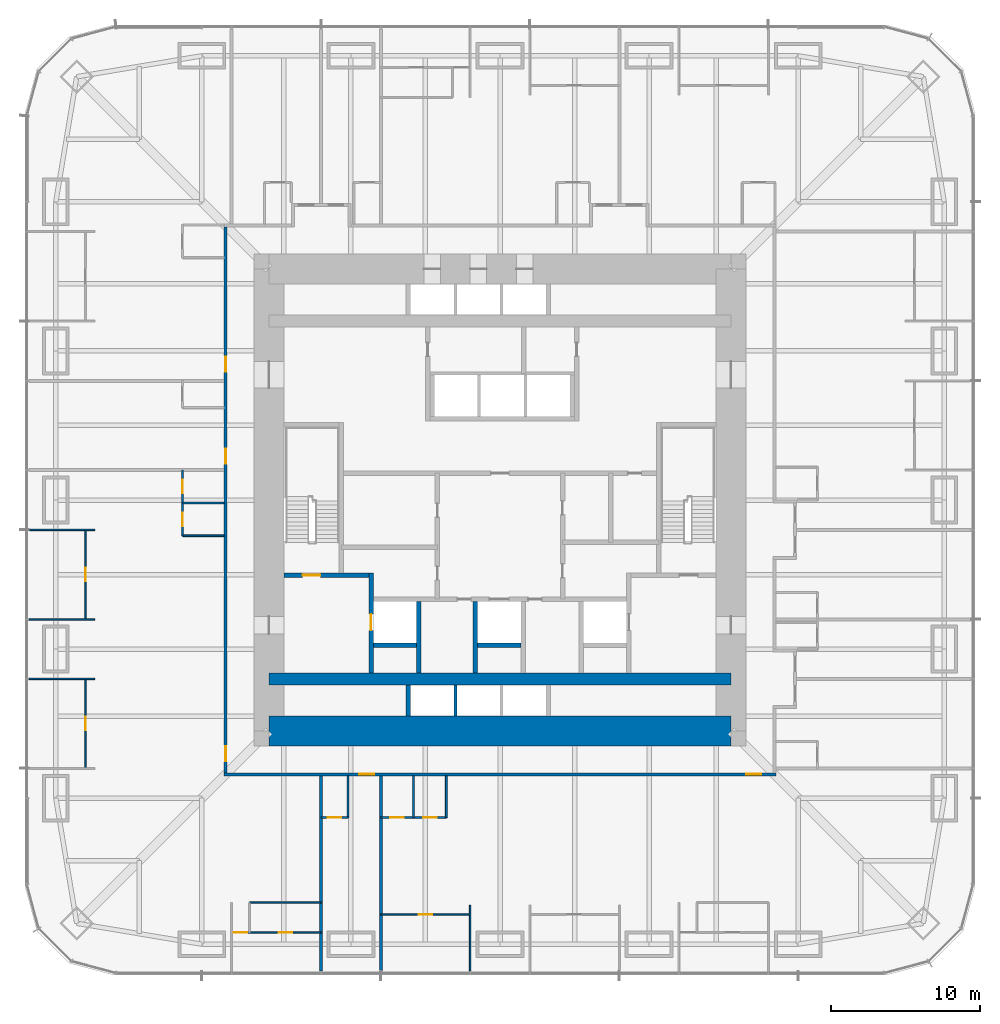
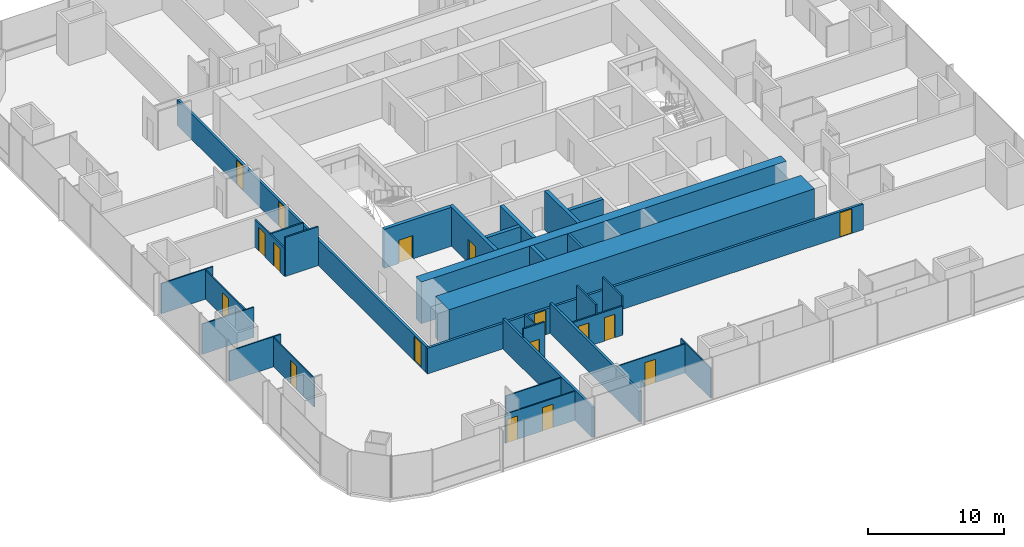
# One storey, part 12 of 17: 31 walls, 17 doors, 17 openings.
"""IFC4 building model written with IfcOpenShell, lengths in metres."""

from ifc_helpers import new_model, si_unit, direction, frame, frame_2d, origin, place, context, subcontext, project, spatial, rectangle, extrude, material, layer, layer_set, type_object, element, fill, save


model = new_model("IFC4")

# Units and contexts
model_context = context("Model", 3, precision=1e-05, world=origin(), true_north=direction((0.0, 1.0)))
body_context = subcontext(model_context, "Body", "Model", "MODEL_VIEW")
ifc_project = project(units=[si_unit("LENGTHUNIT", "METRE"), si_unit("AREAUNIT", "SQUARE_METRE"), si_unit("VOLUMEUNIT", "CUBIC_METRE"), si_unit("PLANEANGLEUNIT", "RADIAN"), si_unit("MASSUNIT", "GRAM", prefix="KILO")], contexts=[model_context])

# Site, building, storey
site_placement = place(None, origin())
site = spatial("IfcSite", under=ifc_project, at=site_placement, CompositionType="ELEMENT")
building_placement = place(site_placement, origin())
building = spatial("IfcBuilding", under=site, at=building_placement, Name="Khuree Lantern Residences", CompositionType="ELEMENT")
storey_placement = place(building_placement, frame((0.0, 0.0, 36.0)))
storey = spatial("IfcBuildingStorey", under=building, at=storey_placement, Name="L08", CompositionType="ELEMENT", Elevation=36.0)

# Wall, openings, doors
ifc_material_1 = material(Name="Moisture-resistant gypsum board on steel studs", Category="steel")
ifc_layer_1 = layer(ifc_material_1, 0.125)
ifc_layer_set_1 = layer_set([ifc_layer_1], Name="BATHROOM WALL BTW125")
wall_type_1 = type_object("IfcWallType", Name="BATHROOM WALL BTW125", PredefinedType="PARTITIONING", material=ifc_layer_set_1)
wall_1_placement = place(storey_placement, frame((-21.300048828125, 2.0, 0.0), z_axis=(0.0, 0.0, 1.0), x_axis=(0.0, -1.0, 0.0)))
wall_1 = element("IfcWall", 1, at=wall_1_placement, inside=storey, type_object=wall_type_1, Name="L08 BATHROOM WALL 09", PredefinedType="PARTITIONING", context=body_context, shape_type="SweptSolid", body=[
    extrude(rectangle(XDim=4.39990234375, YDim=0.125, at=frame_2d((2.199951171875, 0.0))), origin(), (0.0, 0.0, 1.0), 2.491943359375),
])
opening_1_placement = place(wall_1_placement, frame((0.64990234375, 0.0, 0.0)))
opening_1 = element("IfcOpeningElement", 2, at=opening_1_placement, cuts=wall_1, Name="Opening 08-050", PredefinedType="OPENING", context=body_context, shape_type="SweptSolid", body=[
    extrude(rectangle(XDim=0.89990234375, YDim=2.10009765625, at=frame_2d((0.449951171875, 1.050048828125))), frame((0.0, 0.072509765625, 0.0), z_axis=(0.0, -1.0, 0.0), x_axis=(1.0, 0.0, 0.0)), (0.0, 0.0, 1.0), 0.14501953125),
])
opening_2_placement = place(wall_1_placement, frame((2.85009765625, 0.0, 0.0)))
opening_2 = element("IfcOpeningElement", 3, at=opening_2_placement, cuts=wall_1, Name="Opening 08-051", PredefinedType="OPENING", context=body_context, shape_type="SweptSolid", body=[
    extrude(rectangle(XDim=0.89990234375, YDim=2.10009765625, at=frame_2d((0.449951171875, 1.050048828125))), frame((0.0, 0.072509765625, 0.0), z_axis=(0.0, -1.0, 0.0), x_axis=(1.0, 0.0, 0.0)), (0.0, 0.0, 1.0), 0.14501953125),
])
ifc_material_2 = material(Name="Timber door leaf in hardwood frame", Category="wood")
door_type_1 = type_object("IfcDoorType", Name="BATHROOM DOOR 900X2100", OperationType="SINGLE_SWING_LEFT", PredefinedType="DOOR", material=ifc_material_2)
door_1_placement = place(opening_1_placement, origin())
door_1 = element("IfcDoor", 4, at=door_1_placement, inside=storey, type_object=door_type_1, Name="Bathroom door 08-050", OperationType="SINGLE_SWING_LEFT", OverallHeight=2.10009765625, OverallWidth=0.89990234375, PredefinedType="DOOR", context=body_context, shape_type="SweptSolid", body=[
    extrude(rectangle(XDim=0.89990234375, YDim=2.10009765625, at=frame_2d((0.449951171875, 1.050048828125))), frame((0.0, 0.02490234375, 0.0), z_axis=(0.0, -1.0, 0.0), x_axis=(1.0, 0.0, 0.0)), (0.0, 0.0, 1.0), 0.050048828125),
])
fill(opening_1, door_1)
door_2_placement = place(opening_2_placement, origin())
door_2 = element("IfcDoor", 5, at=door_2_placement, inside=storey, type_object=door_type_1, Name="Bathroom door 08-051", OperationType="SINGLE_SWING_LEFT", OverallHeight=2.10009765625, OverallWidth=0.89990234375, PredefinedType="DOOR", context=body_context, shape_type="SweptSolid", body=[
    extrude(rectangle(XDim=0.89990234375, YDim=2.10009765625, at=frame_2d((0.449951171875, 1.050048828125))), frame((0.0, 0.02490234375, 0.0), z_axis=(0.0, -1.0, 0.0), x_axis=(1.0, 0.0, 0.0)), (0.0, 0.0, 1.0), 0.050048828125),
])
fill(opening_2, door_2)

# Walls
wall_2_placement = place(storey_placement, frame((-18.5, -0.199951171875, 0.0), z_axis=(0.0, 0.0, 1.0), x_axis=(-1.0, 0.0, 0.0)))
element("IfcWall", 6, at=wall_2_placement, inside=storey, type_object=wall_type_1, Name="L08 BATHROOM WALL 09", PredefinedType="PARTITIONING", context=body_context, shape_type="SweptSolid", body=[
    extrude(rectangle(XDim=2.800048828125, YDim=0.125, at=frame_2d((1.39990234375, 0.0))), origin(), (0.0, 0.0, 1.0), 2.491943359375),
])
wall_3_placement = place(storey_placement, frame((-18.5, -2.39990234375, 0.0), z_axis=(0.0, 0.0, 1.0), x_axis=(-1.0, 0.0, 0.0)))
element("IfcWall", 7, at=wall_3_placement, inside=storey, type_object=wall_type_1, Name="L08 BATHROOM WALL 09", PredefinedType="PARTITIONING", context=body_context, shape_type="SweptSolid", body=[
    extrude(rectangle(XDim=2.800048828125, YDim=0.125, at=frame_2d((1.39990234375, 0.0))), origin(), (0.0, 0.0, 1.0), 3.5),
])

# Wall, opening, door
wall_4_placement = place(storey_placement, frame((-12.0, -21.300048828125, 0.0), z_axis=(0.0, 0.0, 1.0), x_axis=(1.0, 0.0, 0.0)))
wall_4 = element("IfcWall", 8, at=wall_4_placement, inside=storey, type_object=wall_type_1, Name="L08 BATHROOM WALL 10", PredefinedType="PARTITIONING", context=body_context, shape_type="SweptSolid", body=[
    extrude(rectangle(XDim=1.800048828125, YDim=0.125, at=frame_2d((0.89990234375, 0.0))), origin(), (0.0, 0.0, 1.0), 3.5),
])
opening_3_placement = place(wall_4_placement, frame((0.449951171875, 0.0, 0.0)))
opening_3 = element("IfcOpeningElement", 9, at=opening_3_placement, cuts=wall_4, Name="Opening 08-053", PredefinedType="OPENING", context=body_context, shape_type="SweptSolid", body=[
    extrude(rectangle(XDim=0.89990234375, YDim=2.10009765625, at=frame_2d((0.449951171875, 1.050048828125))), frame((0.0, 0.072509765625, 0.0), z_axis=(0.0, -1.0, 0.0), x_axis=(1.0, 0.0, 0.0)), (0.0, 0.0, 1.0), 0.14501953125),
])
door_3_placement = place(opening_3_placement, origin())
door_3 = element("IfcDoor", 10, at=door_3_placement, inside=storey, type_object=door_type_1, Name="Bathroom door 08-053", OperationType="SINGLE_SWING_LEFT", OverallHeight=2.10009765625, OverallWidth=0.89990234375, PredefinedType="DOOR", context=body_context, shape_type="SweptSolid", body=[
    extrude(rectangle(XDim=0.89990234375, YDim=2.10009765625, at=frame_2d((0.449951171875, 1.050048828125))), frame((0.0, 0.02490234375, 0.0), z_axis=(0.0, -1.0, 0.0), x_axis=(1.0, 0.0, 0.0)), (0.0, 0.0, 1.0), 0.050048828125),
])
fill(opening_3, door_3)

# Wall
wall_5_placement = place(storey_placement, frame((-10.199951171875, -18.5, 0.0), z_axis=(0.0, 0.0, 1.0), x_axis=(0.0, -1.0, 0.0)))
element("IfcWall", 11, at=wall_5_placement, inside=storey, type_object=wall_type_1, Name="L08 BATHROOM WALL 10", PredefinedType="PARTITIONING", context=body_context, shape_type="SweptSolid", body=[
    extrude(rectangle(XDim=2.800048828125, YDim=0.125, at=frame_2d((1.39990234375, 0.0))), origin(), (0.0, 0.0, 1.0), 2.491943359375),
])

# Wall, openings, doors
wall_6_placement = place(storey_placement, frame((-8.0, -21.300048828125, 0.0), z_axis=(0.0, 0.0, 1.0), x_axis=(1.0, 0.0, 0.0)))
wall_6 = element("IfcWall", 12, at=wall_6_placement, inside=storey, type_object=wall_type_1, Name="L08 BATHROOM WALL 11", PredefinedType="PARTITIONING", context=body_context, shape_type="SweptSolid", body=[
    extrude(rectangle(XDim=4.39990234375, YDim=0.125, at=frame_2d((2.199951171875, 0.0))), origin(), (0.0, 0.0, 1.0), 2.610107421875),
])
opening_4_placement = place(wall_6_placement, frame((0.64990234375, 0.0, 0.0)))
opening_4 = element("IfcOpeningElement", 13, at=opening_4_placement, cuts=wall_6, Name="Opening 08-059", PredefinedType="OPENING", context=body_context, shape_type="SweptSolid", body=[
    extrude(rectangle(XDim=0.89990234375, YDim=2.10009765625, at=frame_2d((0.449951171875, 1.050048828125))), frame((0.0, 0.072509765625, 0.0), z_axis=(0.0, -1.0, 0.0), x_axis=(1.0, 0.0, 0.0)), (0.0, 0.0, 1.0), 0.14501953125),
])
opening_5_placement = place(wall_6_placement, frame((2.85009765625, 0.0, 0.0)))
opening_5 = element("IfcOpeningElement", 14, at=opening_5_placement, cuts=wall_6, Name="Opening 08-060", PredefinedType="OPENING", context=body_context, shape_type="SweptSolid", body=[
    extrude(rectangle(XDim=0.89990234375, YDim=2.10009765625, at=frame_2d((0.449951171875, 1.050048828125))), frame((0.0, 0.072509765625, 0.0), z_axis=(0.0, -1.0, 0.0), x_axis=(1.0, 0.0, 0.0)), (0.0, 0.0, 1.0), 0.14501953125),
])
door_4_placement = place(opening_4_placement, origin())
door_4 = element("IfcDoor", 15, at=door_4_placement, inside=storey, type_object=door_type_1, Name="Bathroom door 08-059", OperationType="SINGLE_SWING_LEFT", OverallHeight=2.10009765625, OverallWidth=0.89990234375, PredefinedType="DOOR", context=body_context, shape_type="SweptSolid", body=[
    extrude(rectangle(XDim=0.89990234375, YDim=2.10009765625, at=frame_2d((0.449951171875, 1.050048828125))), frame((0.0, 0.02490234375, 0.0), z_axis=(0.0, -1.0, 0.0), x_axis=(1.0, 0.0, 0.0)), (0.0, 0.0, 1.0), 0.050048828125),
])
fill(opening_4, door_4)
door_5_placement = place(opening_5_placement, origin())
door_5 = element("IfcDoor", 16, at=door_5_placement, inside=storey, type_object=door_type_1, Name="Bathroom door 08-060", OperationType="SINGLE_SWING_LEFT", OverallHeight=2.10009765625, OverallWidth=0.89990234375, PredefinedType="DOOR", context=body_context, shape_type="SweptSolid", body=[
    extrude(rectangle(XDim=0.89990234375, YDim=2.10009765625, at=frame_2d((0.449951171875, 1.050048828125))), frame((0.0, 0.02490234375, 0.0), z_axis=(0.0, -1.0, 0.0), x_axis=(1.0, 0.0, 0.0)), (0.0, 0.0, 1.0), 0.050048828125),
])
fill(opening_5, door_5)

# Walls
for number, where, z_axis, x_axis, name in (
    (17, (-5.800048828125, -18.5, 0.0), (0.0, 0.0, 1.0), (0.0, -1.0, 0.0), "L08 BATHROOM WALL 11"),
    (18, (-3.60009765625, -18.5, 0.0), (0.0, 0.0, 1.0), (0.0, -1.0, 0.0), "L08 BATHROOM WALL 11"),
):
    element("IfcWall", number, at=place(storey_placement, frame(where, z_axis=z_axis, x_axis=x_axis)), inside=storey, type_object=wall_type_1, Name=name, PredefinedType="PARTITIONING", context=body_context, shape_type="SweptSolid", body=[
        extrude(rectangle(XDim=2.800048828125, YDim=0.125, at=frame_2d((1.39990234375, 0.0))), origin(), (0.0, 0.0, 1.0), 3.5),
    ])

# Wall, opening, door
ifc_material_3 = material(Name="Dense concrete blockwork", Category="masonry")
ifc_layer_2 = layer(ifc_material_3, 0.300048828125)
ifc_layer_set_2 = layer_set([ifc_layer_2], Name="CORE PARTITION WALL CPW300 EI 120")
wall_type_2 = type_object("IfcWallType", Name="CORE PARTITION WALL CPW300 EI 120", PredefinedType="PARTITIONING", material=ifc_layer_set_2)
wall_7_placement = place(storey_placement, frame((-8.64990234375, -11.60009765625, 0.0), z_axis=(0.0, 0.0, 1.0), x_axis=(0.0, 1.0, 0.0)))
wall_7 = element("IfcWall", 19, at=wall_7_placement, inside=storey, type_object=wall_type_2, Name="L08 CORE WALL FL1W", PredefinedType="PARTITIONING", context=body_context, shape_type="SweptSolid", body=[
    extrude(rectangle(XDim=6.7001953125, YDim=0.300048828125, at=frame_2d((3.35009765625, 0.0))), origin(), (0.0, 0.0, 1.0), 3.5),
])
opening_6_placement = place(wall_7_placement, frame((2.85009765625, 0.0, 0.0)))
opening_6 = element("IfcOpeningElement", 20, at=opening_6_placement, cuts=wall_7, Name="Opening 08-007", PredefinedType="OPENING", context=body_context, shape_type="SweptSolid", body=[
    extrude(rectangle(XDim=1.10009765625, YDim=2.10009765625, at=frame_2d((0.550048828125, 1.050048828125))), frame((0.0, 0.16015625, 0.0), z_axis=(0.0, -1.0, 0.0), x_axis=(1.0, 0.0, 0.0)), (0.0, 0.0, 1.0), 0.320068359375),
])
ifc_material_4 = material(Name="Stainless steel lift landing door", Category="steel")
door_type_2 = type_object("IfcDoorType", Name="LIFT LANDING DOOR 1100X2100 E 120", OperationType="DOUBLE_DOOR_SLIDING", PredefinedType="DOOR", material=ifc_material_4)
door_6_placement = place(opening_6_placement, origin())
door_6 = element("IfcDoor", 21, at=door_6_placement, inside=storey, type_object=door_type_2, Name="Landing door FL1 08-007", OperationType="DOUBLE_DOOR_SLIDING", OverallHeight=2.10009765625, OverallWidth=1.10009765625, PredefinedType="DOOR", context=body_context, shape_type="SweptSolid", body=[
    extrude(rectangle(XDim=1.10009765625, YDim=2.10009765625, at=frame_2d((0.550048828125, 1.050048828125))), frame((0.0, 0.02490234375, 0.0), z_axis=(0.0, -1.0, 0.0), x_axis=(1.0, 0.0, 0.0)), (0.0, 0.0, 1.0), 0.050048828125),
])
fill(opening_6, door_6)

# Walls
for number, where, z_axis, x_axis, name in (
    (22, (-5.449951171875, -11.60009765625, 0.0), (0.0, 0.0, 1.0), (0.0, 1.0, 0.0), "L08 CORE WALL FL1E"),
    (23, (-1.64990234375, -11.60009765625, 0.0), (0.0, 0.0, 1.0), (0.0, 1.0, 0.0), "L08 CORE WALL SL1W"),
):
    element("IfcWall", number, at=place(storey_placement, frame(where, z_axis=z_axis, x_axis=x_axis)), inside=storey, type_object=wall_type_2, Name=name, PredefinedType="PARTITIONING", context=body_context, shape_type="SweptSolid", body=[
        extrude(rectangle(XDim=4.800048828125, YDim=0.300048828125, at=frame_2d((2.39990234375, 0.0))), origin(), (0.0, 0.0, 1.0), 3.5),
    ])
for number, where, z_axis, x_axis, name in (
    (24, (-8.5, -9.75, 0.0), (0.0, 0.0, 1.0), (1.0, 0.0, 0.0), "L08 CORE WALL FL1S"),
    (25, (-1.5, -9.75, 0.0), (0.0, 0.0, 1.0), (1.0, 0.0, 0.0), "L08 CORE WALL SL1S"),
):
    element("IfcWall", number, at=place(storey_placement, frame(where, z_axis=z_axis, x_axis=x_axis)), inside=storey, type_object=wall_type_2, Name=name, PredefinedType="PARTITIONING", context=body_context, shape_type="SweptSolid", body=[
        extrude(rectangle(XDim=2.89990234375, YDim=0.300048828125, at=frame_2d((1.449951171875, 0.0))), origin(), (0.0, 0.0, 1.0), 3.5),
    ])
wall_8_placement = place(storey_placement, frame((-6.14990234375, -14.5, 0.0), z_axis=(0.0, 0.0, 1.0), x_axis=(0.0, 1.0, 0.0)))
element("IfcWall", 26, at=wall_8_placement, inside=storey, type_object=wall_type_2, Name="L08 CORE WALL PMW", PredefinedType="PARTITIONING", context=body_context, shape_type="SweptSolid", body=[
    extrude(rectangle(XDim=2.10009765625, YDim=0.300048828125, at=frame_2d((1.050048828125, 0.0))), origin(), (0.0, 0.0, 1.0), 3.5),
])

# Wall, openings, doors
ifc_material_5 = material(Name="Gypsum board on steel studs", Category="steel")
ifc_layer_3 = layer(ifc_material_5, 0.199951171875)
ifc_layer_set_3 = layer_set([ifc_layer_3], Name="CORRIDOR WALL CRW200 EI 60")
wall_type_3 = type_object("IfcWallType", Name="CORRIDOR WALL CRW200 EI 60", PredefinedType="PARTITIONING", material=ifc_layer_set_3)
wall_9_placement = place(storey_placement, frame((-18.39990234375, 18.300048828125, 0.0), z_axis=(0.0, 0.0, 1.0), x_axis=(0.0, -1.0, 0.0)))
wall_9 = element("IfcWall", 27, at=wall_9_placement, inside=storey, type_object=wall_type_3, Name="L08 CORRIDOR WALL WEST 1", PredefinedType="PARTITIONING", context=body_context, shape_type="SweptSolid", body=[
    extrude(rectangle(XDim=36.60009765625, YDim=0.199951171875, at=frame_2d((18.300048828125, 0.0))), origin(), (0.0, 0.0, 1.0), 2.300048828125),
])
opening_7_placement = place(wall_9_placement, frame((8.699951171875, 0.0, 0.0)))
opening_7 = element("IfcOpeningElement", 28, at=opening_7_placement, cuts=wall_9, Name="Opening 08-043", PredefinedType="OPENING", context=body_context, shape_type="SweptSolid", body=[
    extrude(rectangle(XDim=1.0, YDim=2.199951171875, at=frame_2d((0.5, 1.10009765625))), frame((0.0, 0.10986328125, 0.0), z_axis=(0.0, -1.0, 0.0), x_axis=(1.0, 0.0, 0.0)), (0.0, 0.0, 1.0), 0.219970703125),
])
opening_8_placement = place(wall_9_placement, frame((14.8701171875, 0.0, 0.0)))
opening_8 = element("IfcOpeningElement", 29, at=opening_8_placement, cuts=wall_9, Name="Opening 08-045", PredefinedType="OPENING", context=body_context, shape_type="SweptSolid", body=[
    extrude(rectangle(XDim=1.0, YDim=2.199951171875, at=frame_2d((0.5, 1.10009765625))), frame((0.0, 0.10986328125, 0.0), z_axis=(0.0, -1.0, 0.0), x_axis=(1.0, 0.0, 0.0)), (0.0, 0.0, 1.0), 0.219970703125),
])
opening_9_placement = place(wall_9_placement, frame((34.820068359375, 0.0, 0.0)))
opening_9 = element("IfcOpeningElement", 30, at=opening_9_placement, cuts=wall_9, Name="Opening 08-052", PredefinedType="OPENING", context=body_context, shape_type="SweptSolid", body=[
    extrude(rectangle(XDim=1.0, YDim=2.199951171875, at=frame_2d((0.5, 1.10009765625))), frame((0.0, 0.10986328125, 0.0), z_axis=(0.0, -1.0, 0.0), x_axis=(1.0, 0.0, 0.0)), (0.0, 0.0, 1.0), 0.219970703125),
])
door_type_3 = type_object("IfcDoorType", Name="APARTMENT ENTRANCE DOOR 1000X2200 EI 30S", OperationType="SINGLE_SWING_LEFT", PredefinedType="DOOR", material=ifc_material_2)
door_7_placement = place(opening_7_placement, origin())
door_7 = element("IfcDoor", 31, at=door_7_placement, inside=storey, type_object=door_type_3, Name="Apartment 07 entrance door 08-043", OperationType="SINGLE_SWING_LEFT", OverallHeight=2.199951171875, OverallWidth=1.0, PredefinedType="DOOR", context=body_context, shape_type="SweptSolid", body=[
    extrude(rectangle(XDim=1.0, YDim=2.199951171875, at=frame_2d((0.5, 1.10009765625))), frame((0.0, 0.02490234375, 0.0), z_axis=(0.0, -1.0, 0.0), x_axis=(1.0, 0.0, 0.0)), (0.0, 0.0, 1.0), 0.050048828125),
])
fill(opening_7, door_7)
door_8_placement = place(opening_8_placement, origin())
door_8 = element("IfcDoor", 32, at=door_8_placement, inside=storey, type_object=door_type_3, Name="Apartment 08 entrance door 08-045", OperationType="SINGLE_SWING_LEFT", OverallHeight=2.199951171875, OverallWidth=1.0, PredefinedType="DOOR", context=body_context, shape_type="SweptSolid", body=[
    extrude(rectangle(XDim=1.0, YDim=2.199951171875, at=frame_2d((0.5, 1.10009765625))), frame((0.0, 0.02490234375, 0.0), z_axis=(0.0, -1.0, 0.0), x_axis=(1.0, 0.0, 0.0)), (0.0, 0.0, 1.0), 0.050048828125),
])
fill(opening_8, door_8)
door_type_4 = type_object("IfcDoorType", Name="APARTMENT ENTRANCE DOOR 1000X2200 EI 30S RIGHT HAND", OperationType="SINGLE_SWING_RIGHT", PredefinedType="DOOR", material=ifc_material_2)
door_9_placement = place(opening_9_placement, origin())
door_9 = element("IfcDoor", 33, at=door_9_placement, inside=storey, type_object=door_type_4, Name="Apartment 09 entrance door 08-052", OperationType="SINGLE_SWING_RIGHT", OverallHeight=2.199951171875, OverallWidth=1.0, PredefinedType="DOOR", context=body_context, shape_type="SweptSolid", body=[
    extrude(rectangle(XDim=1.0, YDim=2.199951171875, at=frame_2d((0.5, 1.10009765625))), frame((0.0, 0.02490234375, 0.0), z_axis=(0.0, -1.0, 0.0), x_axis=(1.0, 0.0, 0.0)), (0.0, 0.0, 1.0), 0.050048828125),
])
fill(opening_9, door_9)

wall_10_placement = place(storey_placement, frame((18.5, -18.39990234375, 0.0), z_axis=(0.0, 0.0, 1.0), x_axis=(-1.0, 0.0, 0.0)))
wall_10 = element("IfcWall", 34, at=wall_10_placement, inside=storey, type_object=wall_type_3, Name="L08 CORRIDOR WALL SOUTH 1", PredefinedType="PARTITIONING", context=body_context, shape_type="SweptSolid", body=[
    extrude(rectangle(XDim=37.0, YDim=0.199951171875, at=frame_2d((18.5, 0.0))), origin(), (0.0, 0.0, 1.0), 2.300048828125),
])
opening_10_placement = place(wall_10_placement, frame((26.929931640625, 0.0, 0.0)))
opening_10 = element("IfcOpeningElement", 35, at=opening_10_placement, cuts=wall_10, Name="Opening 08-054", PredefinedType="OPENING", context=body_context, shape_type="SweptSolid", body=[
    extrude(rectangle(XDim=1.0, YDim=2.199951171875, at=frame_2d((0.5, 1.10009765625))), frame((0.0, 0.10986328125, 0.0), z_axis=(0.0, -1.0, 0.0), x_axis=(1.0, 0.0, 0.0)), (0.0, 0.0, 1.0), 0.219970703125),
])
opening_11_placement = place(wall_10_placement, frame((0.97998046875, 0.0, 0.0)))
opening_11 = element("IfcOpeningElement", 36, at=opening_11_placement, cuts=wall_10, Name="Opening 08-061", PredefinedType="OPENING", context=body_context, shape_type="SweptSolid", body=[
    extrude(rectangle(XDim=1.0, YDim=2.199951171875, at=frame_2d((0.5, 1.10009765625))), frame((0.0, 0.10986328125, 0.0), z_axis=(0.0, -1.0, 0.0), x_axis=(1.0, 0.0, 0.0)), (0.0, 0.0, 1.0), 0.219970703125),
])
door_10_placement = place(opening_10_placement, origin())
door_10 = element("IfcDoor", 37, at=door_10_placement, inside=storey, type_object=door_type_3, Name="Apartment 10 entrance door 08-054", OperationType="SINGLE_SWING_LEFT", OverallHeight=2.199951171875, OverallWidth=1.0, PredefinedType="DOOR", context=body_context, shape_type="SweptSolid", body=[
    extrude(rectangle(XDim=1.0, YDim=2.199951171875, at=frame_2d((0.5, 1.10009765625))), frame((0.0, 0.02490234375, 0.0), z_axis=(0.0, -1.0, 0.0), x_axis=(1.0, 0.0, 0.0)), (0.0, 0.0, 1.0), 0.050048828125),
])
fill(opening_10, door_10)
door_11_placement = place(opening_11_placement, origin())
door_11 = element("IfcDoor", 38, at=door_11_placement, inside=storey, type_object=door_type_3, Name="Apartment 11 entrance door 08-061", OperationType="SINGLE_SWING_LEFT", OverallHeight=2.199951171875, OverallWidth=1.0, PredefinedType="DOOR", context=body_context, shape_type="SweptSolid", body=[
    extrude(rectangle(XDim=1.0, YDim=2.199951171875, at=frame_2d((0.5, 1.10009765625))), frame((0.0, 0.02490234375, 0.0), z_axis=(0.0, -1.0, 0.0), x_axis=(1.0, 0.0, 0.0)), (0.0, 0.0, 1.0), 0.050048828125),
])
fill(opening_11, door_11)

# Walls
ifc_material_6 = material(Name="Concrete C70/85", Category="concrete")
ifc_layer_4 = layer(ifc_material_6, 2.0)
ifc_layer_set_4 = layer_set([ifc_layer_4], Name="CW2000-C70 CORE WALL C70 2000")
wall_type_4 = type_object("IfcWallType", Name="CW2000-C70 CORE WALL C70 2000", PredefinedType="SHEAR", material=ifc_layer_set_4)
wall_11_placement = place(storey_placement, frame((-15.5, -15.5, -0.25), z_axis=(0.0, 0.0, 1.0), x_axis=(1.0, 0.0, 0.0)))
element("IfcWall", 39, at=wall_11_placement, inside=storey, type_object=wall_type_4, Name="Core wall S", PredefinedType="SHEAR", context=body_context, shape_type="SweptSolid", body=[
    extrude(rectangle(XDim=31.0, YDim=2.0, at=frame_2d((15.5, 0.0))), origin(), (0.0, 0.0, 1.0), 3.75),
])
ifc_layer_5 = layer(ifc_material_5, 0.199951171875)
ifc_layer_set_5 = layer_set([ifc_layer_5], Name="DEMISING WALL DMW200 EI 90")
wall_type_5 = type_object("IfcWallType", Name="DEMISING WALL DMW200 EI 90", PredefinedType="PARTITIONING", material=ifc_layer_set_5)
for number, where, z_axis, x_axis, name in (
    (40, (-12.0, -18.5, 0.0), (0.0, 0.0, 1.0), (0.0, -1.0, 0.0), "L08 DEMISING WALL 10"),
    (41, (-8.0, -18.5, 0.0), (0.0, 0.0, 1.0), (0.0, -1.0, 0.0), "L08 DEMISING WALL 11"),
):
    element("IfcWall", number, at=place(storey_placement, frame(where, z_axis=z_axis, x_axis=x_axis)), inside=storey, type_object=wall_type_5, Name=name, PredefinedType="PARTITIONING", context=body_context, shape_type="SweptSolid", body=[
        extrude(rectangle(XDim=13.10009765625, YDim=0.199951171875, at=frame_2d((6.550048828125, 0.0))), origin(), (0.0, 0.0, 1.0), 2.7099609375),
    ])
ifc_layer_6 = layer(ifc_material_5, 0.10009765625)
ifc_layer_set_6 = layer_set([ifc_layer_6], Name="PARTITION PT100")
wall_type_6 = type_object("IfcWallType", Name="PARTITION PT100", PredefinedType="PARTITIONING", material=ifc_layer_set_6)
for number, where, z_axis, x_axis, name in (
    (42, (-27.199951171875, -2.0, 0.0), (0.0, 0.0, 1.0), (-1.0, 0.0, 0.0), "L08 PARTITION 09"),
    (43, (-27.199951171875, -8.0, 0.0), (0.0, 0.0, 1.0), (-1.0, 0.0, 0.0), "L08 PARTITION 09"),
    (44, (-27.199951171875, -12.0, 0.0), (0.0, 0.0, 1.0), (-1.0, 0.0, 0.0), "L08 PARTITION 09"),
    (45, (-2.0, -27.199951171875, 0.0), (0.0, 0.0, 1.0), (0.0, -1.0, 0.0), "L08 PARTITION 11"),
):
    element("IfcWall", number, at=place(storey_placement, frame(where, z_axis=z_axis, x_axis=x_axis)), inside=storey, type_object=wall_type_6, Name=name, PredefinedType="PARTITIONING", context=body_context, shape_type="SweptSolid", body=[
        extrude(rectangle(XDim=4.400146484375, YDim=0.10009765625, at=frame_2d((2.2001953125, 0.0))), origin(), (0.0, 0.0, 1.0), 2.7099609375),
    ])

# Wall, opening, door
wall_12_placement = place(storey_placement, frame((-27.800048828125, -2.0, 0.0), z_axis=(0.0, 0.0, 1.0), x_axis=(0.0, -1.0, 0.0)))
wall_12 = element("IfcWall", 46, at=wall_12_placement, inside=storey, type_object=wall_type_6, Name="L08 PARTITION 09", PredefinedType="PARTITIONING", context=body_context, shape_type="SweptSolid", body=[
    extrude(rectangle(XDim=6.0, YDim=0.10009765625, at=frame_2d((3.0, 0.0))), origin(), (0.0, 0.0, 1.0), 2.610107421875),
])
opening_12_placement = place(wall_12_placement, frame((2.550048828125, 0.0, 0.0)))
opening_12 = element("IfcOpeningElement", 47, at=opening_12_placement, cuts=wall_12, Name="Opening 08-046", PredefinedType="OPENING", context=body_context, shape_type="SweptSolid", body=[
    extrude(rectangle(XDim=0.89990234375, YDim=2.10009765625, at=frame_2d((0.449951171875, 1.050048828125))), frame((0.0, 0.06005859375, 0.0), z_axis=(0.0, -1.0, 0.0), x_axis=(1.0, 0.0, 0.0)), (0.0, 0.0, 1.0), 0.1201171875),
])
door_type_5 = type_object("IfcDoorType", Name="BEDROOM DOOR 900X2100", OperationType="SINGLE_SWING_LEFT", PredefinedType="DOOR", material=ifc_material_2)
door_12_placement = place(opening_12_placement, origin())
door_12 = element("IfcDoor", 48, at=door_12_placement, inside=storey, type_object=door_type_5, Name="Bedroom door 08-046", OperationType="SINGLE_SWING_LEFT", OverallHeight=2.10009765625, OverallWidth=0.89990234375, PredefinedType="DOOR", context=body_context, shape_type="SweptSolid", body=[
    extrude(rectangle(XDim=0.89990234375, YDim=2.10009765625, at=frame_2d((0.449951171875, 1.050048828125))), frame((0.0, 0.02490234375, 0.0), z_axis=(0.0, -1.0, 0.0), x_axis=(1.0, 0.0, 0.0)), (0.0, 0.0, 1.0), 0.050048828125),
])
fill(opening_12, door_12)

wall_13_placement = place(storey_placement, frame((-27.800048828125, -12.0, 0.0), z_axis=(0.0, 0.0, 1.0), x_axis=(0.0, -1.0, 0.0)))
wall_13 = element("IfcWall", 49, at=wall_13_placement, inside=storey, type_object=wall_type_6, Name="L08 PARTITION 09", PredefinedType="PARTITIONING", context=body_context, shape_type="SweptSolid", body=[
    extrude(rectangle(XDim=6.0, YDim=0.10009765625, at=frame_2d((3.0, 0.0))), origin(), (0.0, 0.0, 1.0), 2.610107421875),
])
opening_13_placement = place(wall_13_placement, frame((2.550048828125, 0.0, 0.0)))
opening_13 = element("IfcOpeningElement", 50, at=opening_13_placement, cuts=wall_13, Name="Opening 08-047", PredefinedType="OPENING", context=body_context, shape_type="SweptSolid", body=[
    extrude(rectangle(XDim=0.89990234375, YDim=2.10009765625, at=frame_2d((0.449951171875, 1.050048828125))), frame((0.0, 0.06005859375, 0.0), z_axis=(0.0, -1.0, 0.0), x_axis=(1.0, 0.0, 0.0)), (0.0, 0.0, 1.0), 0.1201171875),
])
door_13_placement = place(opening_13_placement, origin())
door_13 = element("IfcDoor", 51, at=door_13_placement, inside=storey, type_object=door_type_5, Name="Bedroom door 08-047", OperationType="SINGLE_SWING_LEFT", OverallHeight=2.10009765625, OverallWidth=0.89990234375, PredefinedType="DOOR", context=body_context, shape_type="SweptSolid", body=[
    extrude(rectangle(XDim=0.89990234375, YDim=2.10009765625, at=frame_2d((0.449951171875, 1.050048828125))), frame((0.0, 0.02490234375, 0.0), z_axis=(0.0, -1.0, 0.0), x_axis=(1.0, 0.0, 0.0)), (0.0, 0.0, 1.0), 0.050048828125),
])
fill(opening_13, door_13)

# Wall, openings, doors
wall_14_placement = place(storey_placement, frame((-18.0, -29.0166015625, 0.0), z_axis=(0.0, 0.0, 1.0), x_axis=(1.0, 0.0, 0.0)))
wall_14 = element("IfcWall", 52, at=wall_14_placement, inside=storey, type_object=wall_type_6, Name="L08 PARTITION 09", PredefinedType="PARTITIONING", context=body_context, shape_type="SweptSolid", body=[
    extrude(rectangle(XDim=6.0, YDim=0.10009765625, at=frame_2d((3.0, 0.0))), origin(), (0.0, 0.0, 1.0), 2.610107421875),
])
opening_14_placement = place(wall_14_placement, frame((0.14990234375, 0.0, 0.0)))
opening_14 = element("IfcOpeningElement", 53, at=opening_14_placement, cuts=wall_14, Name="Opening 08-048", PredefinedType="OPENING", context=body_context, shape_type="SweptSolid", body=[
    extrude(rectangle(XDim=0.89990234375, YDim=2.10009765625, at=frame_2d((0.449951171875, 1.050048828125))), frame((0.0, 0.06005859375, 0.0), z_axis=(0.0, -1.0, 0.0), x_axis=(1.0, 0.0, 0.0)), (0.0, 0.0, 1.0), 0.1201171875),
])
opening_15_placement = place(wall_14_placement, frame((3.14990234375, 0.0, 0.0)))
opening_15 = element("IfcOpeningElement", 54, at=opening_15_placement, cuts=wall_14, Name="Opening 08-049", PredefinedType="OPENING", context=body_context, shape_type="SweptSolid", body=[
    extrude(rectangle(XDim=0.89990234375, YDim=2.10009765625, at=frame_2d((0.449951171875, 1.050048828125))), frame((0.0, 0.06005859375, 0.0), z_axis=(0.0, -1.0, 0.0), x_axis=(1.0, 0.0, 0.0)), (0.0, 0.0, 1.0), 0.1201171875),
])
door_14_placement = place(opening_14_placement, origin())
door_14 = element("IfcDoor", 55, at=door_14_placement, inside=storey, type_object=door_type_5, Name="Bedroom door 08-048", OperationType="SINGLE_SWING_LEFT", OverallHeight=2.10009765625, OverallWidth=0.89990234375, PredefinedType="DOOR", context=body_context, shape_type="SweptSolid", body=[
    extrude(rectangle(XDim=0.89990234375, YDim=2.10009765625, at=frame_2d((0.449951171875, 1.050048828125))), frame((0.0, 0.02490234375, 0.0), z_axis=(0.0, -1.0, 0.0), x_axis=(1.0, 0.0, 0.0)), (0.0, 0.0, 1.0), 0.050048828125),
])
fill(opening_14, door_14)
door_type_6 = type_object("IfcDoorType", Name="DOOR 900X2100", OperationType="SINGLE_SWING_LEFT", PredefinedType="DOOR", material=ifc_material_2)
door_15_placement = place(opening_15_placement, origin())
door_15 = element("IfcDoor", 56, at=door_15_placement, inside=storey, type_object=door_type_6, Name="Wardrobe door 08-049", OperationType="SINGLE_SWING_LEFT", OverallHeight=2.10009765625, OverallWidth=0.89990234375, PredefinedType="DOOR", context=body_context, shape_type="SweptSolid", body=[
    extrude(rectangle(XDim=0.89990234375, YDim=2.10009765625, at=frame_2d((0.449951171875, 1.050048828125))), frame((0.0, 0.02490234375, 0.0), z_axis=(0.0, -1.0, 0.0), x_axis=(1.0, 0.0, 0.0)), (0.0, 0.0, 1.0), 0.050048828125),
])
fill(opening_15, door_15)

# Wall
wall_15_placement = place(storey_placement, frame((-16.800048828125, -27.0166015625, 0.0), z_axis=(0.0, 0.0, 1.0), x_axis=(1.0, 0.0, 0.0)))
element("IfcWall", 57, at=wall_15_placement, inside=storey, type_object=wall_type_6, Name="L08 PARTITION 09", PredefinedType="PARTITIONING", context=body_context, shape_type="SweptSolid", body=[
    extrude(rectangle(XDim=4.800048828125, YDim=0.10009765625, at=frame_2d((2.39990234375, 0.0))), origin(), (0.0, 0.0, 1.0), 2.610107421875),
])

# Wall, opening, door
wall_16_placement = place(storey_placement, frame((-8.0, -27.800048828125, 0.0), z_axis=(0.0, 0.0, 1.0), x_axis=(1.0, 0.0, 0.0)))
wall_16 = element("IfcWall", 58, at=wall_16_placement, inside=storey, type_object=wall_type_6, Name="L08 PARTITION 11", PredefinedType="PARTITIONING", context=body_context, shape_type="SweptSolid", body=[
    extrude(rectangle(XDim=6.0, YDim=0.10009765625, at=frame_2d((3.0, 0.0))), origin(), (0.0, 0.0, 1.0), 2.610107421875),
])
opening_16_placement = place(wall_16_placement, frame((2.550048828125, 0.0, 0.0)))
opening_16 = element("IfcOpeningElement", 59, at=opening_16_placement, cuts=wall_16, Name="Opening 08-055", PredefinedType="OPENING", context=body_context, shape_type="SweptSolid", body=[
    extrude(rectangle(XDim=0.89990234375, YDim=2.10009765625, at=frame_2d((0.449951171875, 1.050048828125))), frame((0.0, 0.06005859375, 0.0), z_axis=(0.0, -1.0, 0.0), x_axis=(1.0, 0.0, 0.0)), (0.0, 0.0, 1.0), 0.1201171875),
])
door_16_placement = place(opening_16_placement, origin())
door_16 = element("IfcDoor", 60, at=door_16_placement, inside=storey, type_object=door_type_5, Name="Bedroom door 08-055", OperationType="SINGLE_SWING_LEFT", OverallHeight=2.10009765625, OverallWidth=0.89990234375, PredefinedType="DOOR", context=body_context, shape_type="SweptSolid", body=[
    extrude(rectangle(XDim=0.89990234375, YDim=2.10009765625, at=frame_2d((0.449951171875, 1.050048828125))), frame((0.0, 0.02490234375, 0.0), z_axis=(0.0, -1.0, 0.0), x_axis=(1.0, 0.0, 0.0)), (0.0, 0.0, 1.0), 0.050048828125),
])
fill(opening_16, door_16)

# Walls
ifc_layer_7 = layer(ifc_material_3, 0.199951171875)
ifc_layer_set_7 = layer_set([ifc_layer_7], Name="SHAFT WALL SHW200 EI 120")
wall_type_7 = type_object("IfcWallType", Name="SHAFT WALL SHW200 EI 120", PredefinedType="PARTITIONING", material=ifc_layer_set_7)
wall_17_placement = place(storey_placement, frame((-3.0, -14.5, 0.0), z_axis=(0.0, 0.0, 1.0), x_axis=(0.0, 1.0, 0.0)))
element("IfcWall", 61, at=wall_17_placement, inside=storey, type_object=wall_type_7, Name="L08 CORE WALL PMD1", PredefinedType="PARTITIONING", context=body_context, shape_type="SweptSolid", body=[
    extrude(rectangle(XDim=2.10009765625, YDim=0.199951171875, at=frame_2d((1.050048828125, 0.0))), origin(), (0.0, 0.0, 1.0), 3.5),
])
ifc_layer_8 = layer(ifc_material_6, 0.800048828125)
ifc_layer_set_8 = layer_set([ifc_layer_8], Name="SP800-C70 CORE SPINE WALL C70 800")
wall_type_8 = type_object("IfcWallType", Name="SP800-C70 CORE SPINE WALL C70 800", PredefinedType="SHEAR", material=ifc_layer_set_8)
wall_18_placement = place(storey_placement, frame((-15.5, -12.0, -0.25), z_axis=(0.0, 0.0, 1.0), x_axis=(1.0, 0.0, 0.0)))
element("IfcWall", 62, at=wall_18_placement, inside=storey, type_object=wall_type_8, Name="Core wall SPS", PredefinedType="SHEAR", context=body_context, shape_type="SweptSolid", body=[
    extrude(rectangle(XDim=31.0, YDim=0.800048828125, at=frame_2d((15.5, 0.0))), origin(), (0.0, 0.0, 1.0), 3.75),
])

# Wall, opening, door
ifc_material_7 = material(Name="Concrete C50/60", Category="concrete")
ifc_layer_9 = layer(ifc_material_7, 0.300048828125)
ifc_layer_set_9 = layer_set([ifc_layer_9], Name="STAIR WALL SRW300 C50/60 REI 240")
wall_type_9 = type_object("IfcWallType", Name="STAIR WALL SRW300 C50/60 REI 240", PredefinedType="SOLIDWALL", material=ifc_layer_set_9)
wall_19_placement = place(storey_placement, frame((-14.5, -5.050048828125, 0.0), z_axis=(0.0, 0.0, 1.0), x_axis=(1.0, 0.0, 0.0)))
wall_19 = element("IfcWall", 63, at=wall_19_placement, inside=storey, type_object=wall_type_9, Name="L08 STAIR WALL ST1S", PredefinedType="SOLIDWALL", context=body_context, shape_type="SweptSolid", body=[
    extrude(rectangle(XDim=5.699951171875, YDim=0.300048828125, at=frame_2d((2.85009765625, 0.0))), origin(), (0.0, 0.0, 1.0), 3.5),
])
opening_17_placement = place(wall_19_placement, frame((1.25, 0.0, 0.0)))
opening_17 = element("IfcOpeningElement", 64, at=opening_17_placement, cuts=wall_19, Name="Opening 08-001", PredefinedType="OPENING", context=body_context, shape_type="SweptSolid", body=[
    extrude(rectangle(XDim=1.199951171875, YDim=2.10009765625, at=frame_2d((0.60009765625, 1.050048828125))), frame((0.0, 0.16015625, 0.0), z_axis=(0.0, -1.0, 0.0), x_axis=(1.0, 0.0, 0.0)), (0.0, 0.0, 1.0), 0.320068359375),
])
ifc_material_8 = material(Name="Steel door leaf in steel frame", Category="steel")
door_type_7 = type_object("IfcDoorType", Name="STAIR DOOR 1200X2100 EI 120", OperationType="SINGLE_SWING_LEFT", PredefinedType="DOOR", material=ifc_material_8)
door_17_placement = place(opening_17_placement, origin())
door_17 = element("IfcDoor", 65, at=door_17_placement, inside=storey, type_object=door_type_7, Name="Stair ST1 door 08-001", OperationType="SINGLE_SWING_LEFT", OverallHeight=2.10009765625, OverallWidth=1.199951171875, PredefinedType="DOOR", context=body_context, shape_type="SweptSolid", body=[
    extrude(rectangle(XDim=1.199951171875, YDim=2.10009765625, at=frame_2d((0.60009765625, 1.050048828125))), frame((0.0, 0.02490234375, 0.0), z_axis=(0.0, -1.0, 0.0), x_axis=(1.0, 0.0, 0.0)), (0.0, 0.0, 1.0), 0.050048828125),
])
fill(opening_17, door_17)

save(model, "model.ifc")
